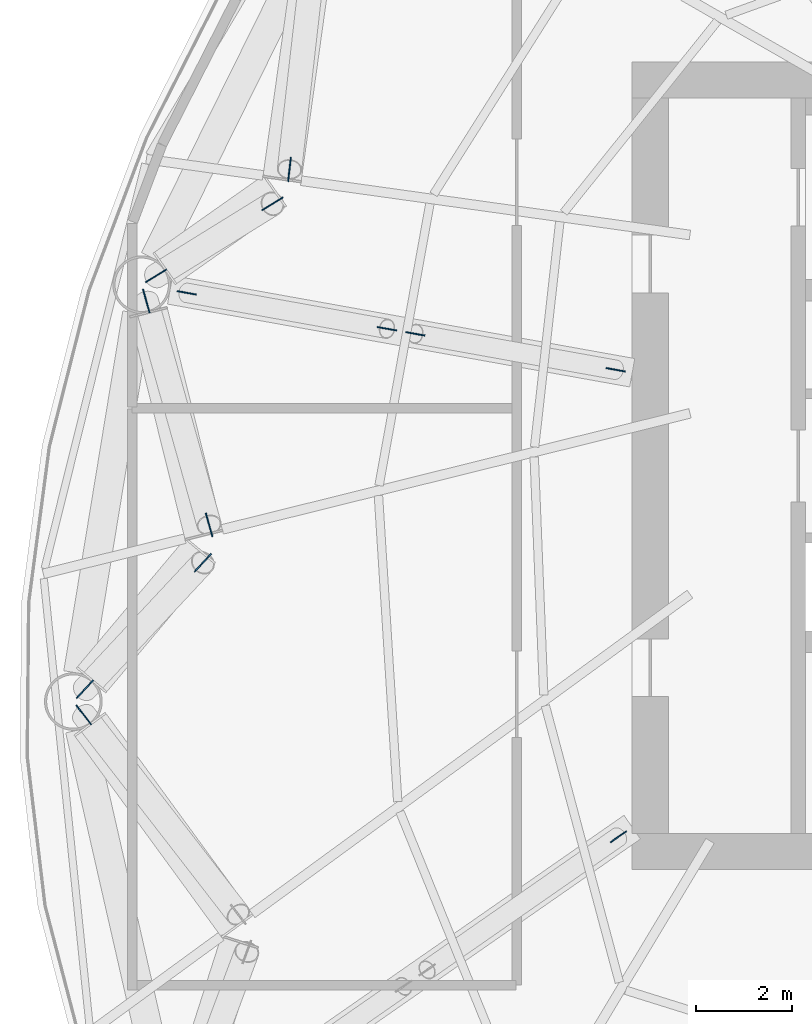
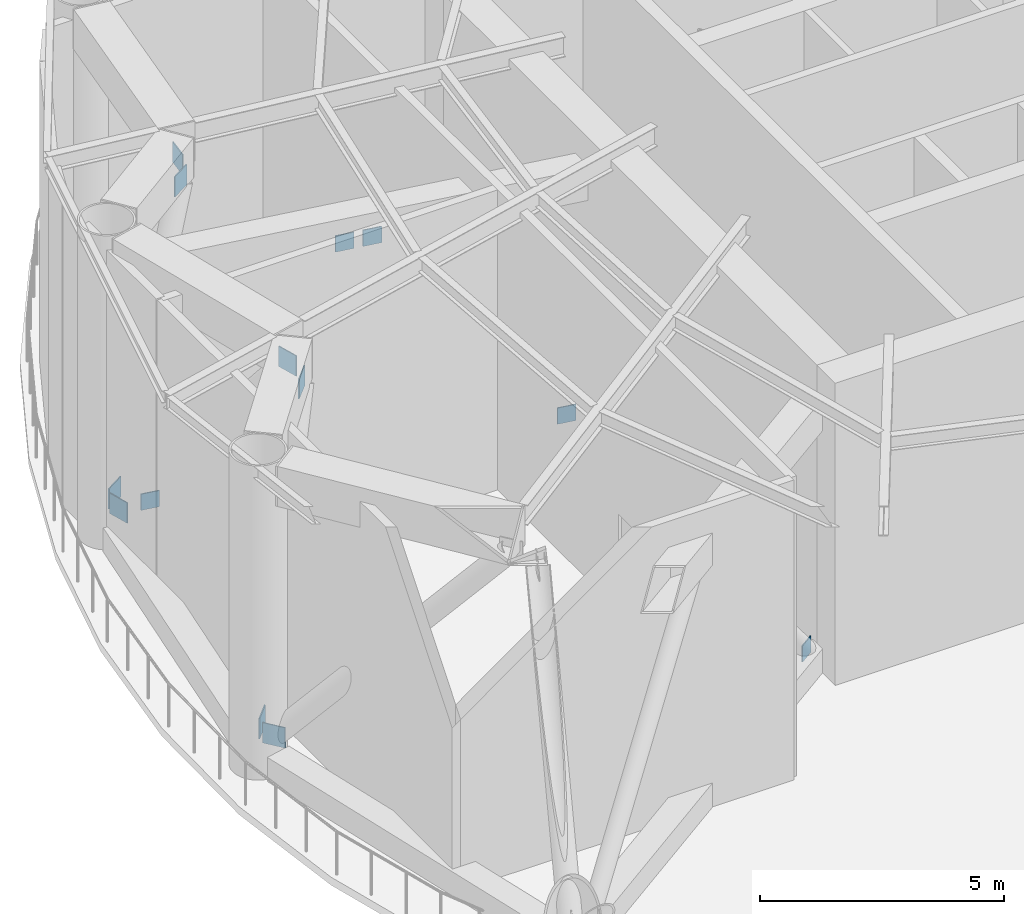
# One storey, part 9 of 15: 13 discrete accessories.
"""IFC4 building model written with IfcOpenShell, lengths in metres."""

import ifcopenshell
import ifcopenshell.guid

model = None  # the IFC model being written
_history = None  # IfcOwnerHistory: only IFC2X3 demands one
_inside = {}  # id of a spatial element -> (the spatial element, [elements in it])
_under = {}  # id of a project, library or spatial element -> (it, [spatial elements below it])
_declared = {}  # id of a project -> (the project, [libraries it declares])
_typed = {}  # id of a type object -> (the type object, [elements of that type])
_made_of = {}  # id of a material, layer set ... -> (it, [elements and type objects made of it])


def new_model(schema):
    """Start an empty IFC model of exactly this schema.

    Asked for "IFC4X3", IfcOpenShell would pick the latest addendum, in which some entities
    have other attributes; the version numbers below select the first issue.
    IFC2X3 requires an IfcOwnerHistory on every rooted entity: one is made here for all.
    """
    global model, _history
    if schema == "IFC4X3":
        model = ifcopenshell.file(schema_version=(4, 3, 0, 0))
    else:
        model = ifcopenshell.file(schema=schema)
    _inside.clear()
    _under.clear()
    _declared.clear()
    _typed.clear()
    _made_of.clear()
    _history = None
    if model.schema == "IFC2X3":
        org = make("IfcOrganization", Name="unknown")
        user = make(
            "IfcPersonAndOrganization",
            ThePerson=make("IfcPerson", FamilyName="unknown"),
            TheOrganization=org,
        )
        app = make(
            "IfcApplication",
            ApplicationDeveloper=org,
            Version="unknown",
            ApplicationFullName="unknown",
            ApplicationIdentifier="unknown",
        )
        _history = make(
            "IfcOwnerHistory",
            OwningUser=user,
            OwningApplication=app,
            ChangeAction="ADDED",
            CreationDate=0,
        )
    return model


def make(cls, **values):
    """One entity of the class cls with the attributes given. An attribute that is None is left unset."""
    return model.create_entity(
        cls, **{name: value for name, value in values.items() if value is not None}
    )


def rooted(cls, **values):
    """An entity with a GlobalId (a new one), such as an element, a storey or a relation."""
    return make(cls, GlobalId=ifcopenshell.guid.new(), OwnerHistory=_history, **values)


def si_unit(unit_type, name, prefix=None):
    """IfcSIUnit, for example si_unit("LENGTHUNIT", "METRE", prefix="MILLI")."""
    return make("IfcSIUnit", UnitType=unit_type, Prefix=prefix, Name=name)


def assignment(units):
    """IfcUnitAssignment: the units of a project."""
    return None if units is None else make("IfcUnitAssignment", Units=units)


def point(xyz):
    """IfcCartesianPoint."""
    return None if xyz is None else make("IfcCartesianPoint", Coordinates=xyz)


def direction(xyz):
    """IfcDirection."""
    return None if xyz is None else make("IfcDirection", DirectionRatios=xyz)


def frame(location, z_axis=None, x_axis=None):
    """IfcAxis2Placement3D, a coordinate frame: its origin and axes. An axis left out is left unset."""
    return make(
        "IfcAxis2Placement3D",
        Location=point(location),
        Axis=direction(z_axis),
        RefDirection=direction(x_axis),
    )


def frame_2d(location, x_axis=None):
    """IfcAxis2Placement2D, a coordinate frame in the plane: its origin and x axis."""
    return make(
        "IfcAxis2Placement2D", Location=point(location), RefDirection=direction(x_axis)
    )


def origin():
    """The frame at (0, 0, 0) with its axes left unset."""
    return frame((0.0, 0.0, 0.0))


def origin_2d():
    """The frame at (0, 0) in the plane with its x axis left unset."""
    return frame_2d((0.0, 0.0))


def place(relative_to, where):
    """IfcLocalPlacement: puts the frame where relative to a parent placement (None: the world)."""
    return make(
        "IfcLocalPlacement", PlacementRelTo=relative_to, RelativePlacement=where
    )


def context(
    kind, dimensions, precision=None, world=None, true_north=None, identifier=None
):
    """IfcGeometricRepresentationContext, for example the 3D "Model" context."""
    return make(
        "IfcGeometricRepresentationContext",
        ContextIdentifier=identifier,
        ContextType=kind,
        CoordinateSpaceDimension=dimensions,
        Precision=precision,
        WorldCoordinateSystem=world,
        TrueNorth=true_north,
    )


def subcontext(parent, identifier, kind, view, scale=None):
    """IfcGeometricRepresentationSubContext, for example "Body" below "Model"."""
    return make(
        "IfcGeometricRepresentationSubContext",
        ContextIdentifier=identifier,
        ContextType=kind,
        ParentContext=parent,
        TargetScale=scale,
        TargetView=view,
    )


def project(units=None, contexts=None):
    """IfcProject with its units and contexts."""
    return rooted(
        "IfcProject",
        Name="project",
        RepresentationContexts=contexts,
        UnitsInContext=assignment(units),
    )


def spatial(cls, under=None, at=None, **own):
    """A site, building, storey or space (cls), placed at a placement, below another one or the project."""
    s = rooted(cls, ObjectPlacement=at, **own)
    if under is not None:
        _under.setdefault(under.id(), (under, []))[1].append(s)
    return s


def profile(cls, at=None, kind="AREA", **sizes):
    """A parametric profile (cls). Its sizes go by their IFC names, for example OverallWidth=200.0."""
    return make(cls, ProfileType=kind, Position=at, **sizes)


def rectangle(**sizes):
    """IfcRectangleProfileDef."""
    return profile("IfcRectangleProfileDef", **sizes)


def extrude(swept, where, along, depth):
    """IfcExtrudedAreaSolid: the profile swept, set in the frame where, extruded along a direction by depth."""
    return make(
        "IfcExtrudedAreaSolid",
        SweptArea=swept,
        Position=where,
        ExtrudedDirection=direction(along),
        Depth=depth,
    )


def shape(context_of_items, identifier, shape_type, items):
    """IfcShapeRepresentation: the items that make up one representation, for example the "Body"."""
    return make(
        "IfcShapeRepresentation",
        ContextOfItems=context_of_items,
        RepresentationIdentifier=identifier,
        RepresentationType=shape_type,
        Items=items,
    )


def made_of(thing, what):
    """Note that an element or type object is made of a material, layer set ...; save() writes the relation."""
    if what is not None:
        _made_of.setdefault(what.id(), (what, []))[1].append(thing)
    return thing


def element(
    cls,
    number,
    at=None,
    inside=None,
    cuts=None,
    type_object=None,
    material=None,
    context=None,
    identifier="Body",
    shape_type=None,
    held_by="IfcProductDefinitionShape",
    body=None,
    shapes=None,
    **own,
):
    """One element of the class cls, such as IfcWall. Its Tag is "e" and its number.

    at: its placement. inside: the storey or other place that contains it. cuts: it is an
    opening in that element (IfcRelVoidsElement). A single representation is given by context,
    identifier, shape_type and body (its items); several are given by shapes. held_by: the class
    of the entity that holds the representations. save() writes the other relations.
    """
    e = rooted(cls, Tag="e%d" % number, ObjectPlacement=at, **own)
    if body is not None:
        shapes = [shape(context, identifier, shape_type, body)]
    if shapes is not None:
        e.Representation = make(held_by, Representations=shapes)
    if inside is not None:
        _inside.setdefault(inside.id(), (inside, []))[1].append(e)
    if cuts is not None:
        rooted(
            "IfcRelVoidsElement", RelatingBuildingElement=cuts, RelatedOpeningElement=e
        )
    if type_object is not None:
        _typed.setdefault(type_object.id(), (type_object, []))[1].append(e)
    return made_of(e, material)


def aggregate(whole, parts):
    """IfcRelAggregates: a whole, such as a stair, and the parts it consists of."""
    return rooted("IfcRelAggregates", RelatingObject=whole, RelatedObjects=parts)


def save(model, path):
    """Write the relations noted so far, then the file.

    IfcRelAggregates (storeys below a building ...), IfcRelContainedInSpatialStructure (elements
    in a storey), IfcRelDefinesByType, IfcRelAssociatesMaterial and IfcRelDeclares: one each for
    every whole, place, type object, material and project.
    """
    for whole, parts in _under.values():
        aggregate(whole, parts)
    for where, things in _inside.values():
        rooted(
            "IfcRelContainedInSpatialStructure",
            RelatedElements=things,
            RelatingStructure=where,
        )
    for kind, things in _typed.values():
        rooted("IfcRelDefinesByType", RelatedObjects=things, RelatingType=kind)
    for what, things in _made_of.values():
        rooted("IfcRelAssociatesMaterial", RelatedObjects=things, RelatingMaterial=what)
    for by, libraries in _declared.values():
        rooted("IfcRelDeclares", RelatingContext=by, RelatedDefinitions=libraries)
    model.write(path)


model = new_model("IFC4")

# Units and contexts
model_context = context("Model", 3, precision=1e-05, world=origin(), true_north=direction((0.0, 1.0)))
body_context = subcontext(model_context, "Body", "Model", "MODEL_VIEW")
ifc_project = project(units=[si_unit("LENGTHUNIT", "METRE"), si_unit("AREAUNIT", "SQUARE_METRE"), si_unit("VOLUMEUNIT", "CUBIC_METRE"), si_unit("PLANEANGLEUNIT", "RADIAN"), si_unit("MASSUNIT", "GRAM", prefix="KILO")], contexts=[model_context])

# Site, building, storey
site_placement = place(None, origin())
site = spatial("IfcSite", under=ifc_project, at=site_placement, CompositionType="ELEMENT")
building_placement = place(site_placement, origin())
building = spatial("IfcBuilding", under=site, at=building_placement, Name="Vermilion Reach Broadcast Tower", CompositionType="ELEMENT")
storey_placement = place(building_placement, frame((0.0, 0.0, 246.10009765625)))
storey = spatial("IfcBuildingStorey", under=building, at=storey_placement, Name="L61", CompositionType="ELEMENT", Elevation=246.10009765625)

# Discrete accessories
for number, where, z_axis, x_axis, name in (
    (1, (-23.9287109375, 6.168212890625, 6.5859375), (0.0, 0.0, 1.0), (0.993568861283, -0.113229492137, 0.0), "Gusset plate BT4-D05A head"),
    (2, (-26.705078125, 3.951904296875, 0.5458984375), (0.0, 0.0, 1.0), (-0.526354249364, 0.850265372796, 0.0), "Gusset plate BT4-D05B foot"),
    (3, (-24.283203125, 5.451171875, 6.5859375), (0.0, 0.0, 1.0), (-0.526354249364, 0.850265372796, 0.0), "Gusset plate BT4-D05B head"),
    (4, (-26.907958984375, 3.4306640625, 0.5458984375), (0.0, 0.0, 1.0), (0.962783828107, 0.270272640745, 0.0), "Gusset plate BT4-D06A foot"),
    (5, (-25.60107421875, -1.2255859375, 6.5859375), (0.0, 0.0, 1.0), (0.962783828107, 0.270272640745, 0.0), "Gusset plate BT4-D06A head"),
    (6, (-28.18505859375, -4.6455078125, 0.5458984375), (0.0, 0.0, 1.0), (-0.731142051638, 0.682225256295, 0.0), "Gusset plate BT4-D06B foot"),
    (7, (-25.73046875, -2.014892578125, 6.5859375), (0.0, 0.0, 1.0), (-0.731142051638, 0.682225256295, 0.0), "Gusset plate BT4-D06B head"),
    (8, (-28.20947265625, -5.17822265625, 0.5458984375), (0.0, 0.0, 1.0), (0.790679224452, 0.612230646097, 0.0), "Gusset plate BT4-D07A foot"),
):
    element("IfcDiscreteAccessory", number, at=place(storey_placement, frame(where, z_axis=z_axis, x_axis=x_axis)), inside=storey, Name=name, PredefinedType="NOTDEFINED", context=body_context, shape_type="SweptSolid", body=[
        extrude(rectangle(XDim=0.02490234375, YDim=0.508056640625, at=origin_2d()), origin(), (0.0, 0.0, 1.0), 0.508056640625),
    ])
for number, where, z_axis, x_axis, name in (
    (9, (-17.14453125, 1.999267578125, 0.39697265625), (0.0, 0.0, 1.0), (-0.176569378367, -0.984288196934, 0.0), "Gusset plate OR4-06-DA foot"),
    (10, (-21.310791015625, 2.74658203125, 5.8466796875), (0.0, 0.0, 1.0), (-0.176569378367, -0.984288196934, 0.0), "Gusset plate OR4-06-DA head"),
    (11, (-26.067626953125, 3.599853515625, 0.39697265625), (0.0, 0.0, 1.0), (-0.176569378367, -0.984288196934, 0.0), "Gusset plate OR4-06-DB foot"),
    (12, (-21.9013671875, 2.8525390625, 5.8466796875), (0.0, 0.0, 1.0), (-0.176569378367, -0.984288196934, 0.0), "Gusset plate OR4-06-DB head"),
    (13, (-17.08740234375, -7.714599609375, 0.39697265625), (0.0, 0.0, 1.0), (0.57114342595, -0.820850282935, 0.0), "Gusset plate OR4-08-DA foot"),
):
    element("IfcDiscreteAccessory", number, at=place(storey_placement, frame(where, z_axis=z_axis, x_axis=x_axis)), inside=storey, Name=name, PredefinedType="NOTDEFINED", context=body_context, shape_type="SweptSolid", body=[
        extrude(rectangle(XDim=0.02490234375, YDim=0.406005859375, at=origin_2d()), origin(), (0.0, 0.0, 1.0), 0.406005859375),
    ])

save(model, "model.ifc")
